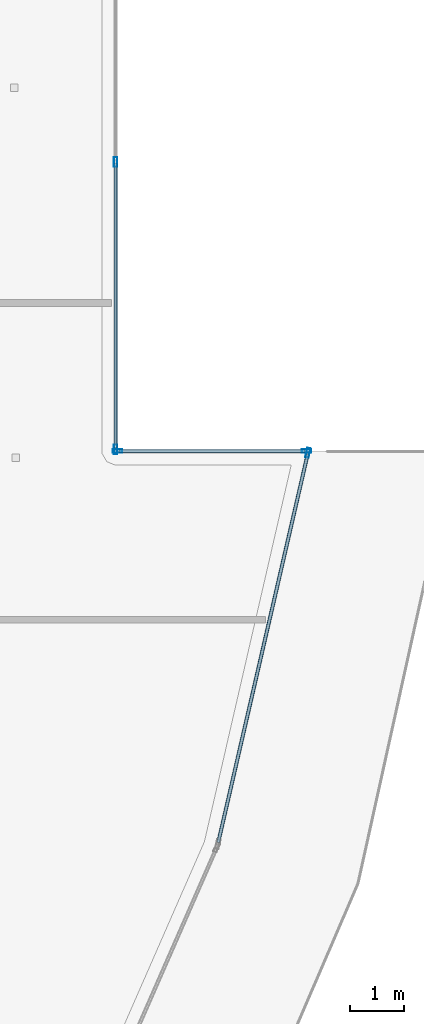
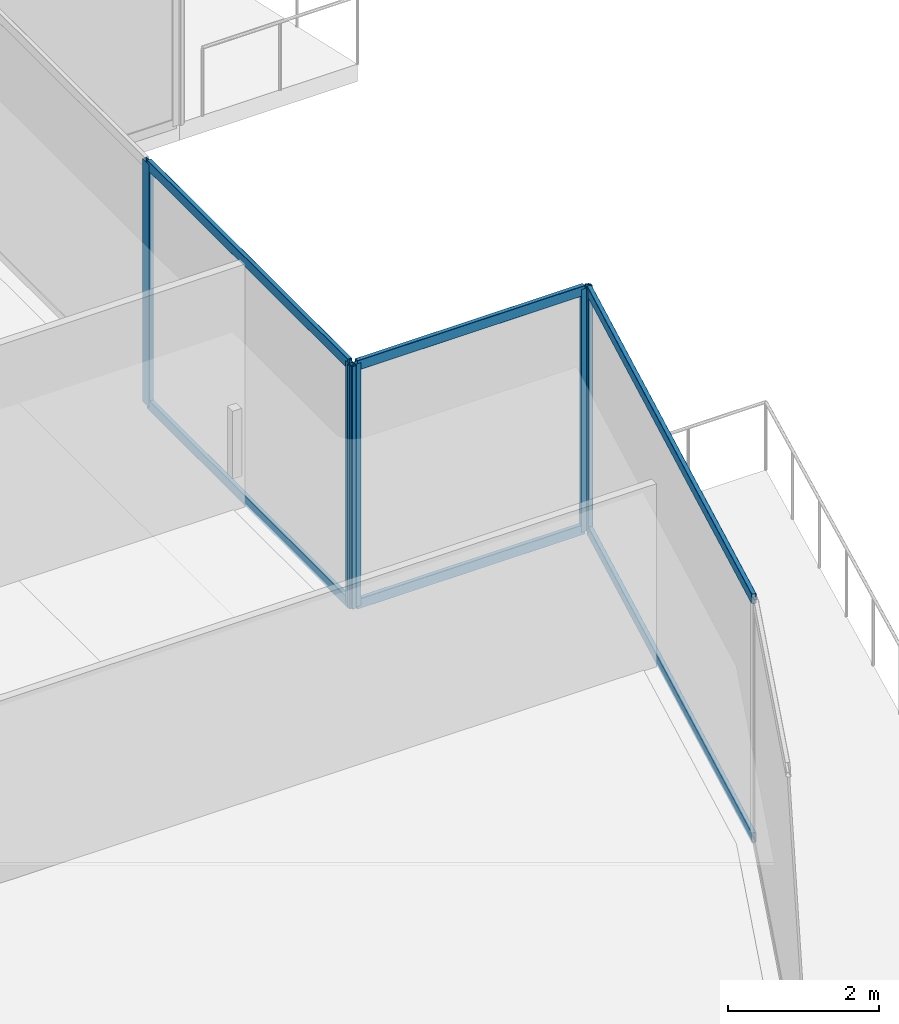
# One storey, part 24 of 42: 11 members, 3 elements without a shape of their own.
"""IFC4 building model written with IfcOpenShell, lengths in metres."""

import ifcopenshell
import ifcopenshell.guid

model = None  # the IFC model being written
_history = None  # IfcOwnerHistory: only IFC2X3 demands one
_inside = {}  # id of a spatial element -> (the spatial element, [elements in it])
_under = {}  # id of a project, library or spatial element -> (it, [spatial elements below it])
_declared = {}  # id of a project -> (the project, [libraries it declares])
_typed = {}  # id of a type object -> (the type object, [elements of that type])
_made_of = {}  # id of a material, layer set ... -> (it, [elements and type objects made of it])


def new_model(schema):
    """Start an empty IFC model of exactly this schema.

    Asked for "IFC4X3", IfcOpenShell would pick the latest addendum, in which some entities
    have other attributes; the version numbers below select the first issue.
    IFC2X3 requires an IfcOwnerHistory on every rooted entity: one is made here for all.
    """
    global model, _history
    if schema == "IFC4X3":
        model = ifcopenshell.file(schema_version=(4, 3, 0, 0))
    else:
        model = ifcopenshell.file(schema=schema)
    _inside.clear()
    _under.clear()
    _declared.clear()
    _typed.clear()
    _made_of.clear()
    _history = None
    if model.schema == "IFC2X3":
        org = make("IfcOrganization", Name="unknown")
        user = make(
            "IfcPersonAndOrganization",
            ThePerson=make("IfcPerson", FamilyName="unknown"),
            TheOrganization=org,
        )
        app = make(
            "IfcApplication",
            ApplicationDeveloper=org,
            Version="unknown",
            ApplicationFullName="unknown",
            ApplicationIdentifier="unknown",
        )
        _history = make(
            "IfcOwnerHistory",
            OwningUser=user,
            OwningApplication=app,
            ChangeAction="ADDED",
            CreationDate=0,
        )
    return model


def make(cls, **values):
    """One entity of the class cls with the attributes given. An attribute that is None is left unset."""
    return model.create_entity(
        cls, **{name: value for name, value in values.items() if value is not None}
    )


def rooted(cls, **values):
    """An entity with a GlobalId (a new one), such as an element, a storey or a relation."""
    return make(cls, GlobalId=ifcopenshell.guid.new(), OwnerHistory=_history, **values)


def si_unit(unit_type, name, prefix=None):
    """IfcSIUnit, for example si_unit("LENGTHUNIT", "METRE", prefix="MILLI")."""
    return make("IfcSIUnit", UnitType=unit_type, Prefix=prefix, Name=name)


def assignment(units):
    """IfcUnitAssignment: the units of a project."""
    return None if units is None else make("IfcUnitAssignment", Units=units)


def point(xyz):
    """IfcCartesianPoint."""
    return None if xyz is None else make("IfcCartesianPoint", Coordinates=xyz)


def direction(xyz):
    """IfcDirection."""
    return None if xyz is None else make("IfcDirection", DirectionRatios=xyz)


def frame(location, z_axis=None, x_axis=None):
    """IfcAxis2Placement3D, a coordinate frame: its origin and axes. An axis left out is left unset."""
    return make(
        "IfcAxis2Placement3D",
        Location=point(location),
        Axis=direction(z_axis),
        RefDirection=direction(x_axis),
    )


def frame_2d(location, x_axis=None):
    """IfcAxis2Placement2D, a coordinate frame in the plane: its origin and x axis."""
    return make(
        "IfcAxis2Placement2D", Location=point(location), RefDirection=direction(x_axis)
    )


def origin():
    """The frame at (0, 0, 0) with its axes left unset."""
    return frame((0.0, 0.0, 0.0))


def origin_2d():
    """The frame at (0, 0) in the plane with its x axis left unset."""
    return frame_2d((0.0, 0.0))


def place(relative_to, where):
    """IfcLocalPlacement: puts the frame where relative to a parent placement (None: the world)."""
    return make(
        "IfcLocalPlacement", PlacementRelTo=relative_to, RelativePlacement=where
    )


def context(
    kind, dimensions, precision=None, world=None, true_north=None, identifier=None
):
    """IfcGeometricRepresentationContext, for example the 3D "Model" context."""
    return make(
        "IfcGeometricRepresentationContext",
        ContextIdentifier=identifier,
        ContextType=kind,
        CoordinateSpaceDimension=dimensions,
        Precision=precision,
        WorldCoordinateSystem=world,
        TrueNorth=true_north,
    )


def subcontext(parent, identifier, kind, view, scale=None):
    """IfcGeometricRepresentationSubContext, for example "Body" below "Model"."""
    return make(
        "IfcGeometricRepresentationSubContext",
        ContextIdentifier=identifier,
        ContextType=kind,
        ParentContext=parent,
        TargetScale=scale,
        TargetView=view,
    )


def project(units=None, contexts=None):
    """IfcProject with its units and contexts."""
    return rooted(
        "IfcProject",
        Name="project",
        RepresentationContexts=contexts,
        UnitsInContext=assignment(units),
    )


def spatial(cls, under=None, at=None, **own):
    """A site, building, storey or space (cls), placed at a placement, below another one or the project."""
    s = rooted(cls, ObjectPlacement=at, **own)
    if under is not None:
        _under.setdefault(under.id(), (under, []))[1].append(s)
    return s


def profile(cls, at=None, kind="AREA", **sizes):
    """A parametric profile (cls). Its sizes go by their IFC names, for example OverallWidth=200.0."""
    return make(cls, ProfileType=kind, Position=at, **sizes)


def hollow_rectangle(**sizes):
    """IfcRectangleHollowProfileDef."""
    return profile("IfcRectangleHollowProfileDef", **sizes)


def extrude(swept, where, along, depth):
    """IfcExtrudedAreaSolid: the profile swept, set in the frame where, extruded along a direction by depth."""
    return make(
        "IfcExtrudedAreaSolid",
        SweptArea=swept,
        Position=where,
        ExtrudedDirection=direction(along),
        Depth=depth,
    )


def shape(context_of_items, identifier, shape_type, items):
    """IfcShapeRepresentation: the items that make up one representation, for example the "Body"."""
    return make(
        "IfcShapeRepresentation",
        ContextOfItems=context_of_items,
        RepresentationIdentifier=identifier,
        RepresentationType=shape_type,
        Items=items,
    )


def material(Name=None, Category=None):
    """IfcMaterial."""
    return make("IfcMaterial", Name=Name, Category=Category)


def layer(
    of_material, thickness, ventilated=None, Name=None, Category=None, Priority=None
):
    """IfcMaterialLayer: one layer of a wall or slab, of a material (None: an air gap)."""
    return make(
        "IfcMaterialLayer",
        Material=of_material,
        LayerThickness=thickness,
        IsVentilated=ventilated,
        Name=Name,
        Category=Category,
        Priority=Priority,
    )


def layer_set(layers, Name=None):
    """IfcMaterialLayerSet."""
    return make("IfcMaterialLayerSet", MaterialLayers=layers, LayerSetName=Name)


def material_profile(
    of_material, cross_section, Name=None, Category=None, Priority=None
):
    """IfcMaterialProfile: a cross section and its material."""
    return make(
        "IfcMaterialProfile",
        Name=Name,
        Material=of_material,
        Profile=cross_section,
        Priority=Priority,
        Category=Category,
    )


def profile_set(profiles, Name=None, composite=None):
    """IfcMaterialProfileSet."""
    return make(
        "IfcMaterialProfileSet",
        Name=Name,
        MaterialProfiles=profiles,
        CompositeProfile=composite,
    )


def made_of(thing, what):
    """Note that an element or type object is made of a material, layer set ...; save() writes the relation."""
    if what is not None:
        _made_of.setdefault(what.id(), (what, []))[1].append(thing)
    return thing


def type_object(cls, material=None, **own):
    """A type object (cls), such as IfcWallType, which elements share."""
    return made_of(rooted(cls, **own), material)


def element(
    cls,
    number,
    at=None,
    inside=None,
    cuts=None,
    type_object=None,
    material=None,
    context=None,
    identifier="Body",
    shape_type=None,
    held_by="IfcProductDefinitionShape",
    body=None,
    shapes=None,
    **own,
):
    """One element of the class cls, such as IfcWall. Its Tag is "e" and its number.

    at: its placement. inside: the storey or other place that contains it. cuts: it is an
    opening in that element (IfcRelVoidsElement). A single representation is given by context,
    identifier, shape_type and body (its items); several are given by shapes. held_by: the class
    of the entity that holds the representations. save() writes the other relations.
    """
    e = rooted(cls, Tag="e%d" % number, ObjectPlacement=at, **own)
    if body is not None:
        shapes = [shape(context, identifier, shape_type, body)]
    if shapes is not None:
        e.Representation = make(held_by, Representations=shapes)
    if inside is not None:
        _inside.setdefault(inside.id(), (inside, []))[1].append(e)
    if cuts is not None:
        rooted(
            "IfcRelVoidsElement", RelatingBuildingElement=cuts, RelatedOpeningElement=e
        )
    if type_object is not None:
        _typed.setdefault(type_object.id(), (type_object, []))[1].append(e)
    return made_of(e, material)


def aggregate(whole, parts):
    """IfcRelAggregates: a whole, such as a stair, and the parts it consists of."""
    return rooted("IfcRelAggregates", RelatingObject=whole, RelatedObjects=parts)


def save(model, path):
    """Write the relations noted so far, then the file.

    IfcRelAggregates (storeys below a building ...), IfcRelContainedInSpatialStructure (elements
    in a storey), IfcRelDefinesByType, IfcRelAssociatesMaterial and IfcRelDeclares: one each for
    every whole, place, type object, material and project.
    """
    for whole, parts in _under.values():
        aggregate(whole, parts)
    for where, things in _inside.values():
        rooted(
            "IfcRelContainedInSpatialStructure",
            RelatedElements=things,
            RelatingStructure=where,
        )
    for kind, things in _typed.values():
        rooted("IfcRelDefinesByType", RelatedObjects=things, RelatingType=kind)
    for what, things in _made_of.values():
        rooted("IfcRelAssociatesMaterial", RelatedObjects=things, RelatingMaterial=what)
    for by, libraries in _declared.values():
        rooted("IfcRelDeclares", RelatingContext=by, RelatedDefinitions=libraries)
    model.write(path)


model = new_model("IFC4")

# Units and contexts
model_context = context("Model", 3, precision=1e-05, world=origin(), true_north=direction((0.0, 1.0)))
body_context = subcontext(model_context, "Body", "Model", "MODEL_VIEW")
ifc_project = project(units=[si_unit("LENGTHUNIT", "METRE"), si_unit("AREAUNIT", "SQUARE_METRE"), si_unit("VOLUMEUNIT", "CUBIC_METRE"), si_unit("PLANEANGLEUNIT", "RADIAN"), si_unit("MASSUNIT", "GRAM", prefix="KILO")], contexts=[model_context])

# Site, building, storey
site_placement = place(None, origin())
site = spatial("IfcSite", under=ifc_project, at=site_placement, CompositionType="ELEMENT")
building_placement = place(site_placement, origin())
building = spatial("IfcBuilding", under=site, at=building_placement, Name="Qorvath Tower", CompositionType="ELEMENT")
storey_placement = place(building_placement, frame((0.0, 0.0, 32.39990234375)))
storey = spatial("IfcBuildingStorey", under=building, at=storey_placement, Name="L06", CompositionType="ELEMENT", Elevation=32.39990234375)

# Curtain wall, member
ifc_material_1 = material(Name="Anodised aluminium and triple low-E glass", Category="aluminium")
ifc_layer = layer(ifc_material_1, 0.179931640625)
ifc_layer_set = layer_set([ifc_layer], Name="CW-SYS-2")
curtain_wall_type = type_object("IfcCurtainWallType", Name="CW-SYS-2", PredefinedType="NOTDEFINED", material=ifc_layer_set)
curtain_wall_1_placement = place(storey_placement, origin())
curtain_wall_1 = element("IfcCurtainWall", 1, at=curtain_wall_1_placement, inside=storey, type_object=curtain_wall_type, Name="Curtain Wall CW-2 CW-T-L06-7.1", PredefinedType="NOTDEFINED")
ifc_material_2 = material(Name="Anodised aluminium 6063-T6", Category="aluminium")
ifc_material_profile_1 = material_profile(ifc_material_2, hollow_rectangle(XDim=0.06494140625, YDim=0.179931640625, WallThickness=0.00341796875, InnerFilletRadius=0.00341796875, OuterFilletRadius=0.007080078125, at=origin_2d()), Name="CWM 180x65")
ifc_profile_set_1 = profile_set([ifc_material_profile_1], Name="Anodised aluminium 6063-T6")
member_type_1 = type_object("IfcMemberType", Name="CWM-180", PredefinedType="MULLION", material=ifc_profile_set_1)
member_1_placement = place(storey_placement, frame((7.597412109375, -5.431640625, 0.0), z_axis=(0.0, 0.0, 1.0), x_axis=(-0.974480701691, 0.22447129445, 0.0)))
member_1 = element("IfcMember", 2, at=member_1_placement, type_object=member_type_1, Name="CW-2 mullion 2", PredefinedType="MULLION", context=body_context, shape_type="SweptSolid", body=[
    extrude(hollow_rectangle(XDim=0.06494140625, YDim=0.179931640625, WallThickness=0.00341796875, InnerFilletRadius=0.00341796875, OuterFilletRadius=0.007080078125, at=origin_2d()), origin(), (0.0, 0.0, 1.0), 3.920166015625),
])

# Curtain wall, members
curtain_wall_2_placement = place(storey_placement, origin())
curtain_wall_2 = element("IfcCurtainWall", 3, at=curtain_wall_2_placement, inside=storey, type_object=curtain_wall_type, Name="Curtain Wall CW-2 CW-T-L06-8.1", PredefinedType="NOTDEFINED")
member_2_placement = place(storey_placement, frame((7.572265625, -5.39990234375, 0.0), z_axis=(0.0, 0.0, 1.0), x_axis=(0.0, -1.0, 0.0)))
member_2 = element("IfcMember", 4, at=member_2_placement, type_object=member_type_1, Name="CW-2 mullion 1", PredefinedType="MULLION", context=body_context, shape_type="SweptSolid", body=[
    extrude(hollow_rectangle(XDim=0.06494140625, YDim=0.179931640625, WallThickness=0.00341796875, InnerFilletRadius=0.00341796875, OuterFilletRadius=0.007080078125, at=origin_2d()), origin(), (0.0, 0.0, 1.0), 3.920166015625),
])
member_3_placement = place(storey_placement, frame((4.037353515625, -5.39990234375, 0.0), z_axis=(0.0, 0.0, 1.0), x_axis=(0.0, -1.0, 0.0)))
member_3 = element("IfcMember", 5, at=member_3_placement, type_object=member_type_1, Name="CW-2 mullion 2", PredefinedType="MULLION", context=body_context, shape_type="SweptSolid", body=[
    extrude(hollow_rectangle(XDim=0.06494140625, YDim=0.179931640625, WallThickness=0.00341796875, InnerFilletRadius=0.00341796875, OuterFilletRadius=0.007080078125, at=origin_2d()), origin(), (0.0, 0.0, 1.0), 3.920166015625),
])

curtain_wall_3_placement = place(storey_placement, origin())
curtain_wall_3 = element("IfcCurtainWall", 6, at=curtain_wall_3_placement, inside=storey, type_object=curtain_wall_type, Name="Curtain Wall CW-2 CW-T-L06-9.1", PredefinedType="NOTDEFINED")
member_4_placement = place(storey_placement, frame((4.0048828125, -5.367431640625, 0.0), z_axis=(0.0, 0.0, 1.0), x_axis=(-1.0, 0.0, 0.0)))
member_4 = element("IfcMember", 7, at=member_4_placement, type_object=member_type_1, Name="CW-2 mullion 1", PredefinedType="MULLION", context=body_context, shape_type="SweptSolid", body=[
    extrude(hollow_rectangle(XDim=0.06494140625, YDim=0.179931640625, WallThickness=0.00341796875, InnerFilletRadius=0.00341796875, OuterFilletRadius=0.007080078125, at=origin_2d()), origin(), (0.0, 0.0, 1.0), 3.920166015625),
])
member_5_placement = place(storey_placement, frame((4.0048828125, 0.0, 0.0), z_axis=(0.0, 0.0, 1.0), x_axis=(-1.0, 0.0, 0.0)))
member_5 = element("IfcMember", 8, at=member_5_placement, type_object=member_type_1, Name="CW-2 mullion 2", PredefinedType="MULLION", context=body_context, shape_type="SweptSolid", body=[
    extrude(hollow_rectangle(XDim=0.06494140625, YDim=0.179931640625, WallThickness=0.00341796875, InnerFilletRadius=0.00341796875, OuterFilletRadius=0.007080078125, at=origin_2d()), origin(), (0.0, 0.0, 1.0), 3.920166015625),
])

# Member
ifc_material_3 = material(Name="Anodised aluminium 6063-T6", Category="aluminium")
ifc_material_profile_2 = material_profile(ifc_material_3, hollow_rectangle(XDim=0.06494140625, YDim=0.159912109375, WallThickness=0.00341796875, InnerFilletRadius=0.00341796875, OuterFilletRadius=0.007080078125, at=origin_2d()), Name="CWT 160x65")
ifc_profile_set_2 = profile_set([ifc_material_profile_2], Name="Anodised aluminium 6063-T6")
member_type_2 = type_object("IfcMemberType", Name="CWT-160", PredefinedType="USERDEFINED", material=ifc_profile_set_2)
member_6_placement = place(storey_placement, frame((5.921630859375, -12.70654296875, 0.032470703125), z_axis=(0.22446368576, 0.974482454319, 0.0), x_axis=(-0.974482454319, 0.22446368576, 0.0)))
member_6 = element("IfcMember", 9, at=member_6_placement, type_object=member_type_2, Name="CW-2 transom 1.1", ObjectType="TRANSOM", PredefinedType="USERDEFINED", context=body_context, shape_type="SweptSolid", body=[
    extrude(hollow_rectangle(XDim=0.06494140625, YDim=0.159912109375, WallThickness=0.00341796875, InnerFilletRadius=0.00341796875, OuterFilletRadius=0.007080078125, at=origin_2d()), origin(), (0.0, 0.0, 1.0), 7.43310546875),
])

member_7_placement = place(storey_placement, frame((5.921630859375, -12.70654296875, 3.8876953125), z_axis=(0.22446368576, 0.974482454319, 0.0), x_axis=(-0.974482454319, 0.22446368576, 0.0)))
member_7 = element("IfcMember", 10, at=member_7_placement, type_object=member_type_2, Name="CW-2 transom 1.2", ObjectType="TRANSOM", PredefinedType="USERDEFINED", context=body_context, shape_type="SweptSolid", body=[
    extrude(hollow_rectangle(XDim=0.06494140625, YDim=0.159912109375, WallThickness=0.00341796875, InnerFilletRadius=0.00341796875, OuterFilletRadius=0.007080078125, at=origin_2d()), origin(), (0.0, 0.0, 1.0), 7.43310546875),
])

aggregate(curtain_wall_1, [member_1, member_6, member_7])

member_8_placement = place(storey_placement, frame((7.539794921875, -5.39990234375, 0.032470703125), z_axis=(-1.0, 0.0, 0.0), x_axis=(0.0, -1.0, 0.0)))
member_8 = element("IfcMember", 11, at=member_8_placement, type_object=member_type_2, Name="CW-2 transom 1.1", ObjectType="TRANSOM", PredefinedType="USERDEFINED", context=body_context, shape_type="SweptSolid", body=[
    extrude(hollow_rectangle(XDim=0.06494140625, YDim=0.159912109375, WallThickness=0.00341796875, InnerFilletRadius=0.00341796875, OuterFilletRadius=0.007080078125, at=origin_2d()), origin(), (0.0, 0.0, 1.0), 3.469970703125),
])

member_9_placement = place(storey_placement, frame((7.539794921875, -5.39990234375, 3.8876953125), z_axis=(-1.0, 0.0, 0.0), x_axis=(0.0, -1.0, 0.0)))
member_9 = element("IfcMember", 12, at=member_9_placement, type_object=member_type_2, Name="CW-2 transom 1.2", ObjectType="TRANSOM", PredefinedType="USERDEFINED", context=body_context, shape_type="SweptSolid", body=[
    extrude(hollow_rectangle(XDim=0.06494140625, YDim=0.159912109375, WallThickness=0.00341796875, InnerFilletRadius=0.00341796875, OuterFilletRadius=0.007080078125, at=origin_2d()), origin(), (0.0, 0.0, 1.0), 3.469970703125),
])

aggregate(curtain_wall_2, [member_2, member_3, member_8, member_9])

member_10_placement = place(storey_placement, frame((4.0048828125, -5.3349609375, 0.032470703125), z_axis=(0.0, 1.0, 0.0), x_axis=(-1.0, 0.0, 0.0)))
member_10 = element("IfcMember", 13, at=member_10_placement, type_object=member_type_2, Name="CW-2 transom 1.1", ObjectType="TRANSOM", PredefinedType="USERDEFINED", context=body_context, shape_type="SweptSolid", body=[
    extrude(hollow_rectangle(XDim=0.06494140625, YDim=0.159912109375, WallThickness=0.00341796875, InnerFilletRadius=0.00341796875, OuterFilletRadius=0.007080078125, at=origin_2d()), origin(), (0.0, 0.0, 1.0), 5.302490234375),
])

member_11_placement = place(storey_placement, frame((4.0048828125, -5.3349609375, 3.8876953125), z_axis=(0.0, 1.0, 0.0), x_axis=(-1.0, 0.0, 0.0)))
member_11 = element("IfcMember", 14, at=member_11_placement, type_object=member_type_2, Name="CW-2 transom 1.2", ObjectType="TRANSOM", PredefinedType="USERDEFINED", context=body_context, shape_type="SweptSolid", body=[
    extrude(hollow_rectangle(XDim=0.06494140625, YDim=0.159912109375, WallThickness=0.00341796875, InnerFilletRadius=0.00341796875, OuterFilletRadius=0.007080078125, at=origin_2d()), origin(), (0.0, 0.0, 1.0), 5.302490234375),
])

aggregate(curtain_wall_3, [member_4, member_5, member_10, member_11])

save(model, "model.ifc")
